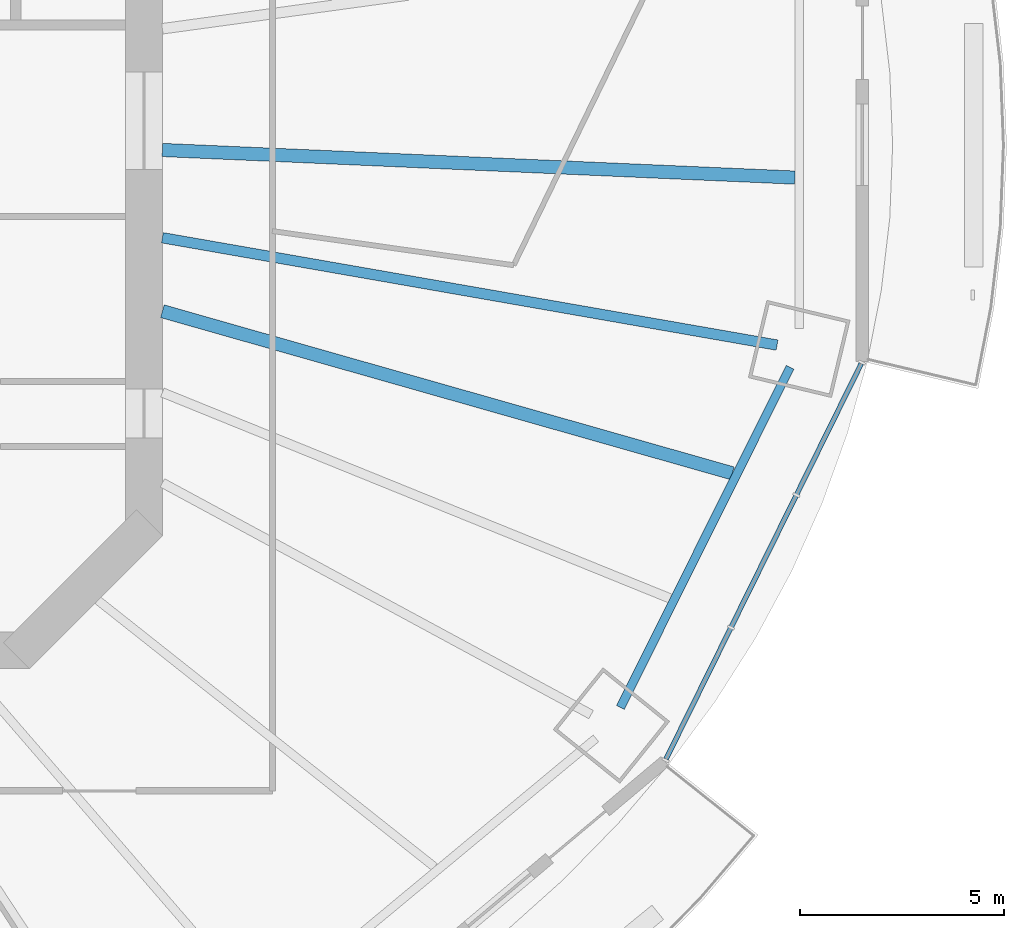
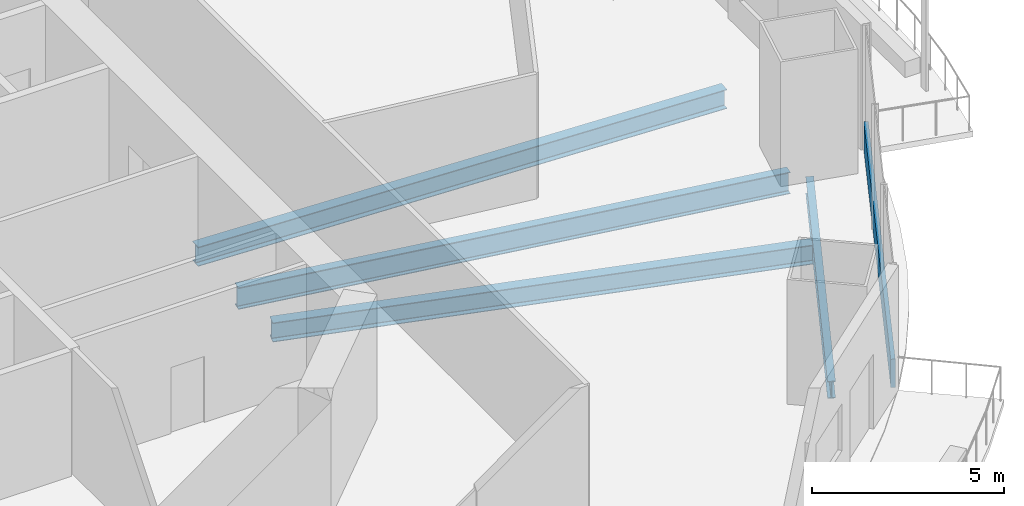
# One storey, part 5 of 20: 4 beams, 1 member, 1 element without a shape of its own.
"""IFC4 building model written with IfcOpenShell, lengths in metres."""

from ifc_helpers import new_model, si_unit, direction, frame, origin, origin_2d, place, context, subcontext, project, spatial, rectangle, i_section, extrude, material, material_profile, profile_set, type_object, element, aggregate, save


model = new_model("IFC4")

# Units and contexts
model_context = context("Model", 3, precision=1e-05, world=origin(), true_north=direction((0.0, 1.0)))
body_context = subcontext(model_context, "Body", "Model", "MODEL_VIEW")
ifc_project = project(units=[si_unit("LENGTHUNIT", "METRE"), si_unit("AREAUNIT", "SQUARE_METRE"), si_unit("VOLUMEUNIT", "CUBIC_METRE"), si_unit("PLANEANGLEUNIT", "RADIAN"), si_unit("MASSUNIT", "GRAM", prefix="KILO")], contexts=[model_context])

# Site, building, storey
site_placement = place(None, origin())
site = spatial("IfcSite", under=ifc_project, at=site_placement, CompositionType="ELEMENT")
building_placement = place(site_placement, origin())
building = spatial("IfcBuilding", under=site, at=building_placement, Name="Marenthal Gate Tower", CompositionType="ELEMENT")
storey_placement = place(building_placement, frame((0.0, 0.0, 173.5)))
storey = spatial("IfcBuildingStorey", under=building, at=storey_placement, Name="L37", CompositionType="ELEMENT", Elevation=173.5)

# Curtain wall, member
ifc_material_1 = material(Name="Aluminium and glass", Category="aluminium")
curtain_wall_type = type_object("IfcCurtainWallType", Name="Curtain wall typical mid", PredefinedType="NOTDEFINED", material=ifc_material_1)
curtain_wall_placement = place(storey_placement, origin())
curtain_wall = element("IfcCurtainWall", 1, at=curtain_wall_placement, inside=storey, type_object=curtain_wall_type, Name="Curtain wall L37 bay 15", PredefinedType="NOTDEFINED")
ifc_material_2 = material(Name="Aluminium", Category="aluminium")
ifc_material_profile_1 = material_profile(ifc_material_2, rectangle(XDim=0.1201171875, YDim=0.89990234375, at=origin_2d()), Name="120x900 aluminium transom")
ifc_profile_set_1 = profile_set([ifc_material_profile_1], Name="Aluminium")
member_type = type_object("IfcMemberType", Name="Transom 120x900 typical mid", PredefinedType="USERDEFINED", material=ifc_profile_set_1)
member_placement = place(storey_placement, frame((28.8134765625, -15.672119140625, 0.449951171875), z_axis=(0.442760838876, 0.896639749039, 0.0), x_axis=(-0.896639749039, 0.442760838876, 0.0)))
member = element("IfcMember", 2, at=member_placement, type_object=member_type, Name="Transom L37 bay 15", ObjectType="TRANSOM", PredefinedType="USERDEFINED", context=body_context, shape_type="SweptSolid", body=[
    extrude(rectangle(XDim=0.1201171875, YDim=0.89990234375, at=origin_2d()), origin(), (0.0, 0.0, 1.0), 10.82568359375),
])
aggregate(curtain_wall, [member])

# Beams
ifc_material_3 = material(Name="Steel S355", Category="steel")
ifc_material_profile_2 = material_profile(ifc_material_3, i_section(OverallWidth=0.2119140625, OverallDepth=0.5439453125, WebThickness=0.01318359375, FlangeThickness=0.021240234375, FilletRadius=0.0126953125, at=origin_2d()), Name="W530X123")
ifc_profile_set_2 = profile_set([ifc_material_profile_2], Name="Steel S355")
beam_type_1 = type_object("IfcBeamType", Name="W530X123 beam", PredefinedType="BEAM", material=ifc_profile_set_2)
beam_1_placement = place(storey_placement, frame((27.695556640625, -14.402587890625, -0.451904296875), z_axis=(0.446271515311, 0.894897611251, 0.0), x_axis=(-0.894897611251, 0.446271515311, 0.0)))
element("IfcBeam", 3, at=beam_1_placement, inside=storey, type_object=beam_type_1, Name="BM-L37-55", PredefinedType="BEAM", context=body_context, shape_type="SweptSolid", body=[
    extrude(i_section(OverallWidth=0.2119140625, OverallDepth=0.5439453125, WebThickness=0.01318359375, FlangeThickness=0.021240234375, FilletRadius=0.0126953125, at=origin_2d()), origin(), (0.0, 0.0, 1.0), 9.331787109375),
])
ifc_material_4 = material(Name="Steel S355", Category="steel")
ifc_material_profile_3 = material_profile(ifc_material_4, i_section(OverallWidth=0.324951171875, OverallDepth=0.612060546875, WebThickness=0.0126953125, FlangeThickness=0.01904296875, FilletRadius=0.0126953125, at=origin_2d()), Name="W610X155")
ifc_profile_set_3 = profile_set([ifc_material_profile_3], Name="Steel S355")
beam_type_2 = type_object("IfcBeamType", Name="W610X155 beam", PredefinedType="BEAM", material=ifc_profile_set_3)
beam_2_placement = place(storey_placement, frame((30.443115234375, -8.655517578125, -0.486083984375), z_axis=(-0.961877785221, 0.273479663409, 0.0), x_axis=(-0.273479663409, -0.961877785221, 0.0)))
element("IfcBeam", 4, at=beam_2_placement, inside=storey, type_object=beam_type_2, Name="BM-L37-39", PredefinedType="BEAM", context=body_context, shape_type="SweptSolid", body=[
    extrude(i_section(OverallWidth=0.324951171875, OverallDepth=0.612060546875, WebThickness=0.0126953125, FlangeThickness=0.01904296875, FilletRadius=0.0126953125, at=origin_2d()), origin(), (0.0, 0.0, 1.0), 14.5478515625),
])
beam_3_placement = place(storey_placement, frame((31.977783203125, -1.39599609375, -0.486083984375), z_axis=(-0.999048169073, 0.043620590005, 0.0), x_axis=(-0.043620590005, -0.999048169073, 0.0)))
element("IfcBeam", 5, at=beam_3_placement, inside=storey, type_object=beam_type_2, Name="BM-L37-40", PredefinedType="BEAM", context=body_context, shape_type="SweptSolid", body=[
    extrude(i_section(OverallWidth=0.324951171875, OverallDepth=0.612060546875, WebThickness=0.0126953125, FlangeThickness=0.01904296875, FilletRadius=0.0126953125, at=origin_2d()), origin(), (0.0, 0.0, 1.0), 15.542724609375),
])
ifc_material_5 = material(Name="Steel S355", Category="steel")
ifc_material_profile_4 = material_profile(ifc_material_5, i_section(OverallWidth=0.257080078125, OverallDepth=0.693115234375, WebThickness=0.014404296875, FlangeThickness=0.023681640625, FilletRadius=0.015380859375, at=origin_2d()), Name="W690X170")
ifc_profile_set_4 = profile_set([ifc_material_profile_4], Name="Steel S355")
beam_type_3 = type_object("IfcBeamType", Name="W690X170 beam", PredefinedType="BEAM", material=ifc_profile_set_4)
beam_4_placement = place(storey_placement, frame((31.539794921875, -5.50830078125, -0.526611328125), z_axis=(-0.985088325307, 0.172049386353, 0.0), x_axis=(-0.172049386353, -0.985088325307, 0.0)))
element("IfcBeam", 6, at=beam_4_placement, inside=storey, type_object=beam_type_3, Name="BM-L37-16", PredefinedType="BEAM", context=body_context, shape_type="SweptSolid", body=[
    extrude(i_section(OverallWidth=0.257080078125, OverallDepth=0.693115234375, WebThickness=0.014404296875, FlangeThickness=0.023681640625, FilletRadius=0.015380859375, at=origin_2d()), origin(), (0.0, 0.0, 1.0), 15.318359375),
])

save(model, "model.ifc")
